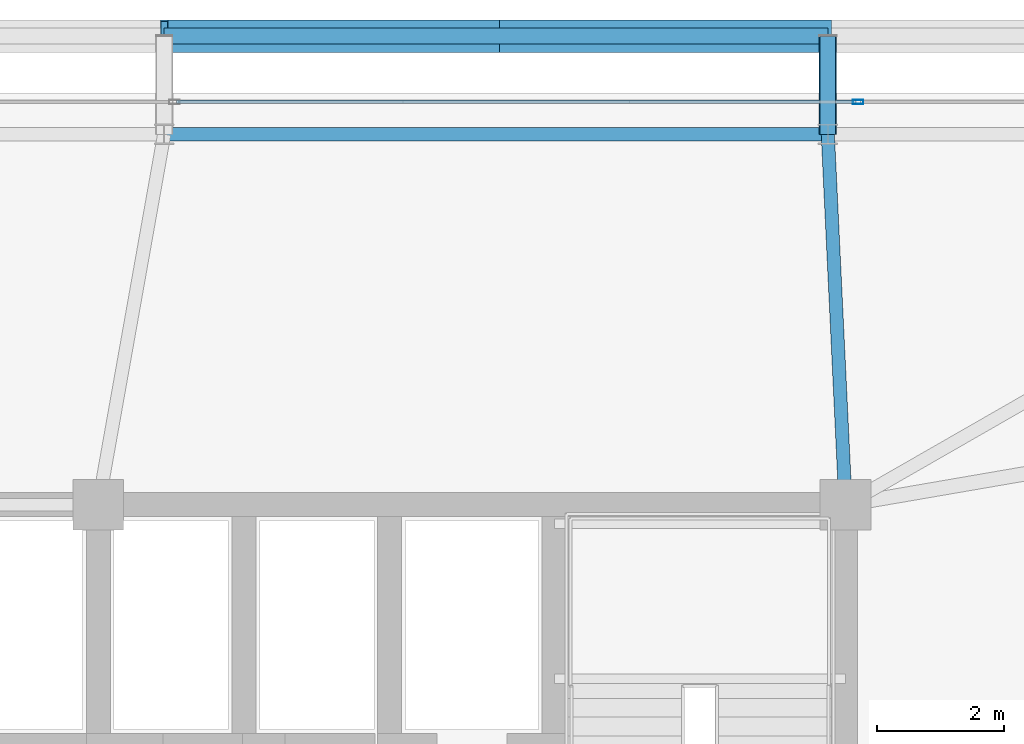
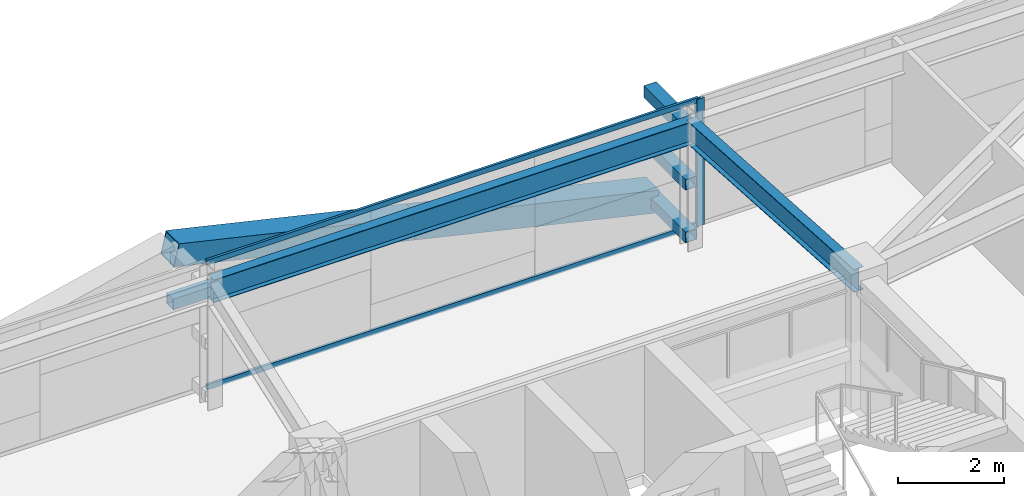
# One storey, part 26 of 44: 9 members, 2 beams, 1 element without a shape of its own.
"""IFC4 building model written with IfcOpenShell, lengths in metres."""

import ifcopenshell
import ifcopenshell.guid

model = None  # the IFC model being written
_history = None  # IfcOwnerHistory: only IFC2X3 demands one
_inside = {}  # id of a spatial element -> (the spatial element, [elements in it])
_under = {}  # id of a project, library or spatial element -> (it, [spatial elements below it])
_declared = {}  # id of a project -> (the project, [libraries it declares])
_typed = {}  # id of a type object -> (the type object, [elements of that type])
_made_of = {}  # id of a material, layer set ... -> (it, [elements and type objects made of it])


def new_model(schema):
    """Start an empty IFC model of exactly this schema.

    Asked for "IFC4X3", IfcOpenShell would pick the latest addendum, in which some entities
    have other attributes; the version numbers below select the first issue.
    IFC2X3 requires an IfcOwnerHistory on every rooted entity: one is made here for all.
    """
    global model, _history
    if schema == "IFC4X3":
        model = ifcopenshell.file(schema_version=(4, 3, 0, 0))
    else:
        model = ifcopenshell.file(schema=schema)
    _inside.clear()
    _under.clear()
    _declared.clear()
    _typed.clear()
    _made_of.clear()
    _history = None
    if model.schema == "IFC2X3":
        org = make("IfcOrganization", Name="unknown")
        user = make(
            "IfcPersonAndOrganization",
            ThePerson=make("IfcPerson", FamilyName="unknown"),
            TheOrganization=org,
        )
        app = make(
            "IfcApplication",
            ApplicationDeveloper=org,
            Version="unknown",
            ApplicationFullName="unknown",
            ApplicationIdentifier="unknown",
        )
        _history = make(
            "IfcOwnerHistory",
            OwningUser=user,
            OwningApplication=app,
            ChangeAction="ADDED",
            CreationDate=0,
        )
    return model


def make(cls, **values):
    """One entity of the class cls with the attributes given. An attribute that is None is left unset."""
    return model.create_entity(
        cls, **{name: value for name, value in values.items() if value is not None}
    )


def rooted(cls, **values):
    """An entity with a GlobalId (a new one), such as an element, a storey or a relation."""
    return make(cls, GlobalId=ifcopenshell.guid.new(), OwnerHistory=_history, **values)


def si_unit(unit_type, name, prefix=None):
    """IfcSIUnit, for example si_unit("LENGTHUNIT", "METRE", prefix="MILLI")."""
    return make("IfcSIUnit", UnitType=unit_type, Prefix=prefix, Name=name)


def assignment(units):
    """IfcUnitAssignment: the units of a project."""
    return None if units is None else make("IfcUnitAssignment", Units=units)


def point(xyz):
    """IfcCartesianPoint."""
    return None if xyz is None else make("IfcCartesianPoint", Coordinates=xyz)


def direction(xyz):
    """IfcDirection."""
    return None if xyz is None else make("IfcDirection", DirectionRatios=xyz)


def frame(location, z_axis=None, x_axis=None):
    """IfcAxis2Placement3D, a coordinate frame: its origin and axes. An axis left out is left unset."""
    return make(
        "IfcAxis2Placement3D",
        Location=point(location),
        Axis=direction(z_axis),
        RefDirection=direction(x_axis),
    )


def frame_2d(location, x_axis=None):
    """IfcAxis2Placement2D, a coordinate frame in the plane: its origin and x axis."""
    return make(
        "IfcAxis2Placement2D", Location=point(location), RefDirection=direction(x_axis)
    )


def origin():
    """The frame at (0, 0, 0) with its axes left unset."""
    return frame((0.0, 0.0, 0.0))


def origin_2d():
    """The frame at (0, 0) in the plane with its x axis left unset."""
    return frame_2d((0.0, 0.0))


def place(relative_to, where):
    """IfcLocalPlacement: puts the frame where relative to a parent placement (None: the world)."""
    return make(
        "IfcLocalPlacement", PlacementRelTo=relative_to, RelativePlacement=where
    )


def context(
    kind, dimensions, precision=None, world=None, true_north=None, identifier=None
):
    """IfcGeometricRepresentationContext, for example the 3D "Model" context."""
    return make(
        "IfcGeometricRepresentationContext",
        ContextIdentifier=identifier,
        ContextType=kind,
        CoordinateSpaceDimension=dimensions,
        Precision=precision,
        WorldCoordinateSystem=world,
        TrueNorth=true_north,
    )


def subcontext(parent, identifier, kind, view, scale=None):
    """IfcGeometricRepresentationSubContext, for example "Body" below "Model"."""
    return make(
        "IfcGeometricRepresentationSubContext",
        ContextIdentifier=identifier,
        ContextType=kind,
        ParentContext=parent,
        TargetScale=scale,
        TargetView=view,
    )


def project(units=None, contexts=None):
    """IfcProject with its units and contexts."""
    return rooted(
        "IfcProject",
        Name="project",
        RepresentationContexts=contexts,
        UnitsInContext=assignment(units),
    )


def spatial(cls, under=None, at=None, **own):
    """A site, building, storey or space (cls), placed at a placement, below another one or the project."""
    s = rooted(cls, ObjectPlacement=at, **own)
    if under is not None:
        _under.setdefault(under.id(), (under, []))[1].append(s)
    return s


def profile(cls, at=None, kind="AREA", **sizes):
    """A parametric profile (cls). Its sizes go by their IFC names, for example OverallWidth=200.0."""
    return make(cls, ProfileType=kind, Position=at, **sizes)


def hollow_rectangle(**sizes):
    """IfcRectangleHollowProfileDef."""
    return profile("IfcRectangleHollowProfileDef", **sizes)


def i_section(**sizes):
    """IfcIShapeProfileDef."""
    return profile("IfcIShapeProfileDef", **sizes)


def extrude(swept, where, along, depth):
    """IfcExtrudedAreaSolid: the profile swept, set in the frame where, extruded along a direction by depth."""
    return make(
        "IfcExtrudedAreaSolid",
        SweptArea=swept,
        Position=where,
        ExtrudedDirection=direction(along),
        Depth=depth,
    )


def shape(context_of_items, identifier, shape_type, items):
    """IfcShapeRepresentation: the items that make up one representation, for example the "Body"."""
    return make(
        "IfcShapeRepresentation",
        ContextOfItems=context_of_items,
        RepresentationIdentifier=identifier,
        RepresentationType=shape_type,
        Items=items,
    )


def source(mapping_origin, context_of_items, identifier, shape_type, items):
    """IfcRepresentationMap: a shape defined once, which mapped items show again and again."""
    return make(
        "IfcRepresentationMap",
        MappingOrigin=mapping_origin,
        MappedRepresentation=shape(context_of_items, identifier, shape_type, items),
    )


def transform(
    local_origin,
    x_axis=None,
    y_axis=None,
    z_axis=None,
    scale=None,
    scale2=None,
    scale3=None,
    uniform=True,
):
    """IfcCartesianTransformationOperator3D, or its non-uniform kind. x_axis, y_axis, z_axis: its Axis1, 2, 3."""
    if uniform:
        return make(
            "IfcCartesianTransformationOperator3D",
            Axis1=direction(x_axis),
            Axis2=direction(y_axis),
            LocalOrigin=point(local_origin),
            Scale=scale,
            Axis3=direction(z_axis),
        )
    return make(
        "IfcCartesianTransformationOperator3DnonUniform",
        Axis1=direction(x_axis),
        Axis2=direction(y_axis),
        LocalOrigin=point(local_origin),
        Scale=scale,
        Axis3=direction(z_axis),
        Scale2=scale2,
        Scale3=scale3,
    )


def mapped(mapping_source, mapping_target):
    """IfcMappedItem: shows the shape of a source again, moved by a transform."""
    return make(
        "IfcMappedItem", MappingSource=mapping_source, MappingTarget=mapping_target
    )


def material(Name=None, Category=None):
    """IfcMaterial."""
    return make("IfcMaterial", Name=Name, Category=Category)


def layer(
    of_material, thickness, ventilated=None, Name=None, Category=None, Priority=None
):
    """IfcMaterialLayer: one layer of a wall or slab, of a material (None: an air gap)."""
    return make(
        "IfcMaterialLayer",
        Material=of_material,
        LayerThickness=thickness,
        IsVentilated=ventilated,
        Name=Name,
        Category=Category,
        Priority=Priority,
    )


def layer_set(layers, Name=None):
    """IfcMaterialLayerSet."""
    return make("IfcMaterialLayerSet", MaterialLayers=layers, LayerSetName=Name)


def material_profile(
    of_material, cross_section, Name=None, Category=None, Priority=None
):
    """IfcMaterialProfile: a cross section and its material."""
    return make(
        "IfcMaterialProfile",
        Name=Name,
        Material=of_material,
        Profile=cross_section,
        Priority=Priority,
        Category=Category,
    )


def profile_set(profiles, Name=None, composite=None):
    """IfcMaterialProfileSet."""
    return make(
        "IfcMaterialProfileSet",
        Name=Name,
        MaterialProfiles=profiles,
        CompositeProfile=composite,
    )


def made_of(thing, what):
    """Note that an element or type object is made of a material, layer set ...; save() writes the relation."""
    if what is not None:
        _made_of.setdefault(what.id(), (what, []))[1].append(thing)
    return thing


def type_object(cls, material=None, **own):
    """A type object (cls), such as IfcWallType, which elements share."""
    return made_of(rooted(cls, **own), material)


def element(
    cls,
    number,
    at=None,
    inside=None,
    cuts=None,
    type_object=None,
    material=None,
    context=None,
    identifier="Body",
    shape_type=None,
    held_by="IfcProductDefinitionShape",
    body=None,
    shapes=None,
    **own,
):
    """One element of the class cls, such as IfcWall. Its Tag is "e" and its number.

    at: its placement. inside: the storey or other place that contains it. cuts: it is an
    opening in that element (IfcRelVoidsElement). A single representation is given by context,
    identifier, shape_type and body (its items); several are given by shapes. held_by: the class
    of the entity that holds the representations. save() writes the other relations.
    """
    e = rooted(cls, Tag="e%d" % number, ObjectPlacement=at, **own)
    if body is not None:
        shapes = [shape(context, identifier, shape_type, body)]
    if shapes is not None:
        e.Representation = make(held_by, Representations=shapes)
    if inside is not None:
        _inside.setdefault(inside.id(), (inside, []))[1].append(e)
    if cuts is not None:
        rooted(
            "IfcRelVoidsElement", RelatingBuildingElement=cuts, RelatedOpeningElement=e
        )
    if type_object is not None:
        _typed.setdefault(type_object.id(), (type_object, []))[1].append(e)
    return made_of(e, material)


def aggregate(whole, parts):
    """IfcRelAggregates: a whole, such as a stair, and the parts it consists of."""
    return rooted("IfcRelAggregates", RelatingObject=whole, RelatedObjects=parts)


def save(model, path):
    """Write the relations noted so far, then the file.

    IfcRelAggregates (storeys below a building ...), IfcRelContainedInSpatialStructure (elements
    in a storey), IfcRelDefinesByType, IfcRelAssociatesMaterial and IfcRelDeclares: one each for
    every whole, place, type object, material and project.
    """
    for whole, parts in _under.values():
        aggregate(whole, parts)
    for where, things in _inside.values():
        rooted(
            "IfcRelContainedInSpatialStructure",
            RelatedElements=things,
            RelatingStructure=where,
        )
    for kind, things in _typed.values():
        rooted("IfcRelDefinesByType", RelatedObjects=things, RelatingType=kind)
    for what, things in _made_of.values():
        rooted("IfcRelAssociatesMaterial", RelatedObjects=things, RelatingMaterial=what)
    for by, libraries in _declared.values():
        rooted("IfcRelDeclares", RelatingContext=by, RelatedDefinitions=libraries)
    model.write(path)


model = new_model("IFC4")

# Units and contexts
model_context = context("Model", 3, precision=1e-05, world=origin(), true_north=direction((0.0, 1.0)))
body_context = subcontext(model_context, "Body", "Model", "MODEL_VIEW")
ifc_project = project(units=[si_unit("LENGTHUNIT", "METRE"), si_unit("AREAUNIT", "SQUARE_METRE"), si_unit("VOLUMEUNIT", "CUBIC_METRE"), si_unit("PLANEANGLEUNIT", "RADIAN"), si_unit("MASSUNIT", "GRAM", prefix="KILO")], contexts=[model_context])

# Site, building, storey
site_placement = place(None, origin())
site = spatial("IfcSite", under=ifc_project, at=site_placement, CompositionType="ELEMENT")
building_placement = place(site_placement, origin())
building = spatial("IfcBuilding", under=site, at=building_placement, Name="Taldren Reach Tower", CompositionType="ELEMENT")
storey_placement = place(building_placement, frame((0.0, 0.0, 42.0)))
storey = spatial("IfcBuildingStorey", under=building, at=storey_placement, Name="L12", CompositionType="ELEMENT", Elevation=42.0)

# Beams
ifc_material_1 = material(Name="Steel Gr 350 (350PLUS)", Category="steel")
ifc_material_profile_1 = material_profile(ifc_material_1, i_section(OverallWidth=0.208984375, OverallDepth=0.528076171875, WebThickness=0.009521484375, FlangeThickness=0.01318359375, at=origin_2d()), Name="530UB82.0")
ifc_profile_set_1 = profile_set([ifc_material_profile_1], Name="Steel Gr 350 (350PLUS)")
beam_type_1 = type_object("IfcBeamType", Name="SP-UB530B", PredefinedType="SPANDREL", material=ifc_profile_set_1)
shared_shape_1 = source(origin(), body_context, "Body", "SweptSolid", [
    extrude(i_section(OverallWidth=0.208984375, OverallDepth=0.528076171875, WebThickness=0.009521484375, FlangeThickness=0.01318359375, at=origin_2d()), origin(), (0.0, 0.0, 1.0), 10.47998046875),
])
beam_1_placement = place(storey_placement, frame((50.719970703125, 37.85009765625, 2.666015625), z_axis=(-1.0, 0.0, 0.0), x_axis=(0.0, -1.0, 0.0)))
element("IfcBeam", 1, at=beam_1_placement, inside=storey, type_object=beam_type_1, Name="Perimeter spandrel B1 N5-N4 L12", PredefinedType="SPANDREL", context=body_context, shape_type="MappedRepresentation", body=[
    mapped(shared_shape_1, transform((0.0, 0.0, 0.0), scale=1.0)),
])
ifc_material_profile_2 = material_profile(ifc_material_1, i_section(OverallWidth=0.208984375, OverallDepth=0.532958984375, WebThickness=0.01025390625, FlangeThickness=0.015625, at=origin_2d()), Name="530UB92.4")
ifc_profile_set_2 = profile_set([ifc_material_profile_2], Name="Steel Gr 350 (350PLUS)")
beam_type_2 = type_object("IfcBeamType", Name="BM-UB530A", PredefinedType="BEAM", material=ifc_profile_set_2)
shared_shape_2 = source(origin(), body_context, "Body", "SweptSolid", [
    extrude(i_section(OverallWidth=0.208984375, OverallDepth=0.532958984375, WebThickness=0.01025390625, FlangeThickness=0.015625, at=origin_2d()), origin(), (0.0, 0.0, 1.0), 5.856689453125),
])
beam_2_placement = place(storey_placement, frame((51.0, 32.0, 2.66357421875), z_axis=(-0.047812711672, 0.998856318297, 0.0), x_axis=(-0.998856318297, -0.047812711672, 0.0)))
element("IfcBeam", 2, at=beam_2_placement, inside=storey, type_object=beam_type_2, Name="Primary floor girder B1-N5 L12", PredefinedType="BEAM", context=body_context, shape_type="MappedRepresentation", body=[
    mapped(shared_shape_2, transform((0.0, 0.0, 0.0), scale=1.0)),
])

# Members
ifc_material_2 = material(Name="Steel Gr 450 (C450L0)", Category="steel")
ifc_material_profile_3 = material_profile(ifc_material_2, hollow_rectangle(XDim=0.27490234375, YDim=0.27490234375, WallThickness=0.00927734375, at=origin_2d()), Name="275x275x9.3SHS")
ifc_profile_set_3 = profile_set([ifc_material_profile_3], Name="Steel Gr 450 (C450L0)")
member_type_1 = type_object("IfcMemberType", Name="MB-TIE273", PredefinedType="STRUT", material=ifc_profile_set_3)
shared_shape_3 = source(origin(), body_context, "Body", "SweptSolid", [
    extrude(hollow_rectangle(XDim=0.27490234375, YDim=0.27490234375, WallThickness=0.00927734375, at=origin_2d()), origin(), (0.0, 0.0, 1.0), 1.5498046875),
])
member_1_placement = place(storey_placement, frame((50.719970703125, 37.85009765625, 2.64990234375), z_axis=(0.0, 1.0, 0.0), x_axis=(-1.0, 0.0, 0.0)))
element("IfcMember", 3, at=member_1_placement, inside=storey, type_object=member_type_1, Name="Exoskeleton diaphragm tie strut B1-N5 L12", PredefinedType="STRUT", context=body_context, shape_type="MappedRepresentation", body=[
    mapped(shared_shape_3, transform((0.0, 0.0, 0.0), scale=1.0)),
])
ifc_material_profile_4 = material_profile(ifc_material_2, hollow_rectangle(XDim=0.510009765625, YDim=0.510009765625, WallThickness=0.02001953125, at=origin_2d()), Name="510x510x20.0SHS")
ifc_profile_set_4 = profile_set([ifc_material_profile_4], Name="Steel Gr 450 (C450L0)")
member_type_2 = type_object("IfcMemberType", Name="MB-EXO508", PredefinedType="BRACE", material=ifc_profile_set_4)
shared_shape_4 = source(origin(), body_context, "Body", "SweptSolid", [
    extrude(hollow_rectangle(XDim=0.510009765625, YDim=0.510009765625, WallThickness=0.02001953125, at=origin_2d()), origin(), (0.0, 0.0, 1.0), 5.37890625),
])
for number, where, z_axis, x_axis, name in (
    (4, (50.719970703125, 39.39990234375, 0.219970703125), (-0.97415197996, 0.0, 0.225893603143), (0.0, -1.0, 0.0), "Exoskeleton Diagrid Brace B1-N4 L12"),
    (5, (45.47998046875, 39.39990234375, 1.43505859375), (-0.974161966843, 0.0, 0.225850531007), (0.0, -1.0, 0.0), "Exoskeleton Diagrid Brace B1-N4 L12"),
):
    element("IfcMember", number, at=place(storey_placement, frame(where, z_axis=z_axis, x_axis=x_axis)), inside=storey, type_object=member_type_2, Name=name, PredefinedType="BRACE", context=body_context, shape_type="MappedRepresentation", body=[
        mapped(shared_shape_4, transform((0.0, 0.0, 0.0), scale=1.0)),
    ])
ifc_material_3 = material(Name="Steel Gr 350 (C350L0)", Category="steel")
ifc_material_profile_5 = material_profile(ifc_material_3, hollow_rectangle(XDim=0.25, YDim=0.25, WallThickness=0.010009765625, at=origin_2d()), Name="250x250x10.0SHS")
ifc_profile_set_5 = profile_set([ifc_material_profile_5], Name="Steel Gr 350 (C350L0)")
member_type_3 = type_object("IfcMemberType", Name="MB-POST250", PredefinedType="POST", material=ifc_profile_set_5)
shared_shape_5 = source(origin(), body_context, "Body", "SweptSolid", [
    extrude(hollow_rectangle(XDim=0.25, YDim=0.25, WallThickness=0.010009765625, at=origin_2d()), origin(), (0.0, 0.0, 1.0), 10.47998046875),
])
member_2_placement = place(storey_placement, frame((40.239990234375, 39.39990234375, 1.43505859375), z_axis=(1.0, 0.0, 0.0), x_axis=(0.0, 1.0, 0.0)))
element("IfcMember", 6, at=member_2_placement, inside=storey, type_object=member_type_3, Name="Exoskeleton mid-height ring chord B1-N4 L12", PredefinedType="POST", context=body_context, shape_type="MappedRepresentation", body=[
    mapped(shared_shape_5, transform((0.0, 0.0, 0.0), scale=1.0)),
])
shared_shape_6 = source(origin(), body_context, "Body", "SweptSolid", [
    extrude(hollow_rectangle(XDim=0.25, YDim=0.25, WallThickness=0.010009765625, at=origin_2d()), origin(), (0.0, 0.0, 1.0), 1.5498046875),
])
for number, where, z_axis, x_axis, name in (
    (7, (50.719970703125, 37.85009765625, 0.219970703125), (0.0, 1.0, 0.0), (-1.0, 0.0, 0.0), "Exoskeleton base diaphragm tie strut B1-N5 L12"),
    (8, (50.719970703125, 37.85009765625, 1.43505859375), (0.0, 1.0, 0.0), (-1.0, 0.0, 0.0), "Exoskeleton mid-tier diaphragm tie B1-N5 L12"),
):
    element("IfcMember", number, at=place(storey_placement, frame(where, z_axis=z_axis, x_axis=x_axis)), inside=storey, type_object=member_type_3, Name=name, PredefinedType="POST", context=body_context, shape_type="MappedRepresentation", body=[
        mapped(shared_shape_6, transform((0.0, 0.0, 0.0), scale=1.0)),
    ])

# Curtain wall, members
ifc_material_4 = material(Name="Aluminium and Low-E Glass Unitised System", Category="aluminium")
ifc_layer = layer(ifc_material_4, 0.159912109375)
ifc_layer_set = layer_set([ifc_layer], Name="Aluminium and Low-E Glass Unitised System")
curtain_wall_type = type_object("IfcCurtainWallType", Name="CW-SYS-2", PredefinedType="NOTDEFINED", material=ifc_layer_set)
curtain_wall_placement = place(storey_placement, origin())
curtain_wall = element("IfcCurtainWall", 9, at=curtain_wall_placement, inside=storey, type_object=curtain_wall_type, Name="Unitised curtain wall CW-L12-N", PredefinedType="NOTDEFINED")
ifc_material_5 = material(Name="Anodised Aluminium 6063-T6", Category="aluminium")
ifc_material_profile_6 = material_profile(ifc_material_5, hollow_rectangle(XDim=0.06494140625, YDim=0.1650390625, WallThickness=0.00390625, at=origin_2d()), Name="ALU-165x65x4RHS")
ifc_profile_set_6 = profile_set([ifc_material_profile_6], Name="Anodised Aluminium 6063-T6")
member_type_4 = type_object("IfcMemberType", Name="CW-MUL-165", PredefinedType="MULLION", material=ifc_profile_set_6)
shared_shape_7 = source(origin(), body_context, "Body", "SweptSolid", [
    extrude(hollow_rectangle(XDim=0.06494140625, YDim=0.1650390625, WallThickness=0.00390625, at=origin_2d()), origin(), (0.0, 0.0, 1.0), 2.929931640625),
])
member_3_placement = place(storey_placement, frame((51.199951171875, 38.360107421875, 0.0), z_axis=(0.0, 0.0, 1.0), x_axis=(0.0, -1.0, 0.0)))
member_3 = element("IfcMember", 10, at=member_3_placement, type_object=member_type_4, Name="CW-2 mullion 2", PredefinedType="MULLION", context=body_context, shape_type="MappedRepresentation", body=[
    mapped(shared_shape_7, transform((0.0, 0.0, 0.0), scale=1.0)),
])
ifc_material_profile_7 = material_profile(ifc_material_5, hollow_rectangle(XDim=0.054931640625, YDim=0.1201171875, WallThickness=0.0029296875, at=origin_2d()), Name="ALU-120x55x3RHS")
ifc_profile_set_7 = profile_set([ifc_material_profile_7], Name="Anodised Aluminium 6063-T6")
member_type_5 = type_object("IfcMemberType", Name="CW-TRN-135", PredefinedType="USERDEFINED", material=ifc_profile_set_7)
shared_shape_8 = source(origin(), body_context, "Body", "SweptSolid", [
    extrude(hollow_rectangle(XDim=0.054931640625, YDim=0.1201171875, WallThickness=0.0029296875, at=origin_2d()), origin(), (0.0, 0.0, 1.0), 10.73486328125),
])
member_4_placement = place(storey_placement, frame((51.16748046875, 38.360107421875, 0.027587890625), z_axis=(-1.0, 0.0, 0.0), x_axis=(0.0, -1.0, 0.0)))
member_4 = element("IfcMember", 11, at=member_4_placement, type_object=member_type_5, Name="CW-2 transom 2.1", ObjectType="TRANSOM", PredefinedType="USERDEFINED", context=body_context, shape_type="MappedRepresentation", body=[
    mapped(shared_shape_8, transform((0.0, 0.0, 0.0), scale=1.0)),
])
member_5_placement = place(storey_placement, frame((51.16748046875, 38.360107421875, 2.902587890625), z_axis=(-1.0, 0.0, 0.0), x_axis=(0.0, -1.0, 0.0)))
member_5 = element("IfcMember", 12, at=member_5_placement, type_object=member_type_5, Name="CW-2 transom 2.2", ObjectType="TRANSOM", PredefinedType="USERDEFINED", context=body_context, shape_type="MappedRepresentation", body=[
    mapped(shared_shape_8, transform((0.0, 0.0, 0.0), scale=1.0)),
])
aggregate(curtain_wall, [member_3, member_4, member_5])

save(model, "model.ifc")
